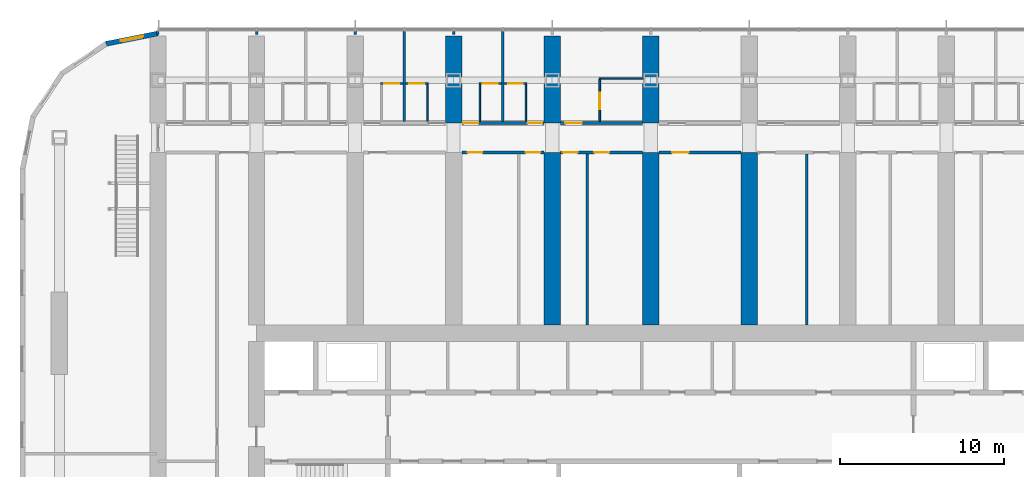
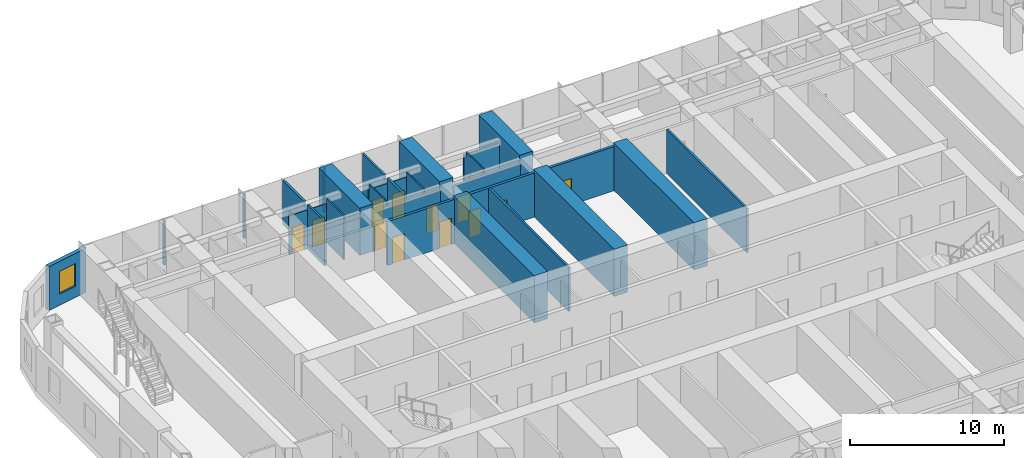
# One storey, part 18 of 28: 29 walls, 13 doors, 1 window, 14 openings.
"""IFC4 building model written with IfcOpenShell, lengths in metres."""

from ifc_helpers import new_model, si_unit, direction, frame, frame_2d, origin, place, context, subcontext, project, spatial, polyline, rectangle, outline, extrude, material, layer, layer_set, type_object, element, fill, save


model = new_model("IFC4")

# Units and contexts
model_context = context("Model", 3, precision=1e-05, world=origin(), true_north=direction((0.0, 1.0)))
body_context = subcontext(model_context, "Body", "Model", "MODEL_VIEW")
ifc_project = project(units=[si_unit("LENGTHUNIT", "METRE"), si_unit("AREAUNIT", "SQUARE_METRE"), si_unit("VOLUMEUNIT", "CUBIC_METRE"), si_unit("PLANEANGLEUNIT", "RADIAN"), si_unit("MASSUNIT", "GRAM", prefix="KILO")], contexts=[model_context])

# Site, building, storey
site_placement = place(None, origin())
site = spatial("IfcSite", under=ifc_project, at=site_placement, CompositionType="ELEMENT")
building_placement = place(site_placement, origin())
building = spatial("IfcBuilding", under=site, at=building_placement, Name="Orbita Commons", CompositionType="ELEMENT")
storey_placement = place(building_placement, frame((0.0, 0.0, 38.949951171875)))
storey = spatial("IfcBuildingStorey", under=building, at=storey_placement, Name="L09", CompositionType="ELEMENT", Elevation=38.949951171875)

# Wall, openings, doors
ifc_material_1 = material(Name="Concrete blockwork", Category="masonry")
ifc_layer_1 = layer(ifc_material_1, 0.199951171875)
ifc_layer_set_1 = layer_set([ifc_layer_1], Name="Concrete blockwork")
wall_type_1 = type_object("IfcWallType", Name="Corridor wall 200 blockwork", PredefinedType="SOLIDWALL", material=ifc_layer_set_1)
wall_1_placement = place(storey_placement, frame((30.5, 51.0, 0.0), z_axis=(0.0, 0.0, 1.0), x_axis=(1.0, 0.0, 0.0)))
wall_1 = element("IfcWall", 1, at=wall_1_placement, inside=storey, type_object=wall_type_1, Name="Corridor wall 200 blockwork L09", PredefinedType="SOLIDWALL", context=body_context, shape_type="SweptSolid", body=[
    extrude(outline(polyline([(0.0, 0.0), (5.0, 0.0), (5.0, 3.10009765625), (0.0, 3.10009765625), (0.0, 0.0)])), frame((0.0, 0.10009765625, 0.0), z_axis=(0.0, -1.0, 0.0), x_axis=(1.0, 0.0, 0.0)), (0.0, 0.0, 1.0), 0.199951171875),
])
opening_1_placement = place(wall_1_placement, frame((0.10009765625, 0.0, 0.0)))
opening_1 = element("IfcOpeningElement", 2, at=opening_1_placement, cuts=wall_1, Name="Opening D11", PredefinedType="OPENING", context=body_context, shape_type="SweptSolid", body=[
    extrude(rectangle(XDim=0.89990234375, YDim=2.10009765625, at=frame_2d((0.449951171875, 1.050048828125))), frame((0.0, 0.10986328125, 0.0), z_axis=(0.0, -1.0, 0.0), x_axis=(1.0, 0.0, 0.0)), (0.0, 0.0, 1.0), 0.219970703125),
])
opening_2_placement = place(wall_1_placement, frame((4.0, 0.0, 0.0)))
opening_2 = element("IfcOpeningElement", 3, at=opening_2_placement, cuts=wall_1, Name="Opening D11", PredefinedType="OPENING", context=body_context, shape_type="SweptSolid", body=[
    extrude(rectangle(XDim=0.89990234375, YDim=2.10009765625, at=frame_2d((0.449951171875, 1.050048828125))), frame((0.0, 0.10986328125, 0.0), z_axis=(0.0, -1.0, 0.0), x_axis=(1.0, 0.0, 0.0)), (0.0, 0.0, 1.0), 0.219970703125),
])
ifc_material_2 = material(Name="Steel-faced fire door leaf", Category="steel")
door_type_1 = type_object("IfcDoorType", Name="Corridor door 20 min 900x2100", OperationType="SINGLE_SWING_LEFT", PredefinedType="DOOR", material=ifc_material_2)
door_1_placement = place(opening_1_placement, origin())
door_1 = element("IfcDoor", 4, at=door_1_placement, inside=storey, type_object=door_type_1, Name="House bedroom L09-N06 door", OperationType="SINGLE_SWING_LEFT", OverallHeight=2.10009765625, OverallWidth=0.89990234375, PredefinedType="DOOR", context=body_context, shape_type="SweptSolid", body=[
    extrude(rectangle(XDim=0.89990234375, YDim=2.10009765625, at=frame_2d((0.449951171875, 1.050048828125))), frame((0.0, 0.02490234375, 0.0), z_axis=(0.0, -1.0, 0.0), x_axis=(1.0, 0.0, 0.0)), (0.0, 0.0, 1.0), 0.050048828125),
])
fill(opening_1, door_1)
door_2_placement = place(opening_2_placement, origin())
door_2 = element("IfcDoor", 5, at=door_2_placement, inside=storey, type_object=door_type_1, Name="House bedroom L09-N07 door", OperationType="SINGLE_SWING_LEFT", OverallHeight=2.10009765625, OverallWidth=0.89990234375, PredefinedType="DOOR", context=body_context, shape_type="SweptSolid", body=[
    extrude(rectangle(XDim=0.89990234375, YDim=2.10009765625, at=frame_2d((0.449951171875, 1.050048828125))), frame((0.0, 0.02490234375, 0.0), z_axis=(0.0, -1.0, 0.0), x_axis=(1.0, 0.0, 0.0)), (0.0, 0.0, 1.0), 0.050048828125),
])
fill(opening_2, door_2)

# Wall, opening, door
wall_2_placement = place(storey_placement, frame((36.5, 51.0, 0.0), z_axis=(0.0, 0.0, 1.0), x_axis=(1.0, 0.0, 0.0)))
wall_2 = element("IfcWall", 6, at=wall_2_placement, inside=storey, type_object=wall_type_1, Name="Corridor wall 200 blockwork L09", PredefinedType="SOLIDWALL", context=body_context, shape_type="SweptSolid", body=[
    extrude(outline(polyline([(0.0, 0.0), (5.0, 0.0), (5.0, 3.10009765625), (0.0, 3.10009765625), (0.0, 0.0)])), frame((0.0, 0.10009765625, 0.0), z_axis=(0.0, -1.0, 0.0), x_axis=(1.0, 0.0, 0.0)), (0.0, 0.0, 1.0), 0.199951171875),
])
opening_3_placement = place(wall_2_placement, frame((0.300048828125, 0.0, 0.0)))
opening_3 = element("IfcOpeningElement", 7, at=opening_3_placement, cuts=wall_2, Name="Opening D06", PredefinedType="OPENING", context=body_context, shape_type="SweptSolid", body=[
    extrude(rectangle(XDim=1.0, YDim=2.10009765625, at=frame_2d((0.5, 1.050048828125))), frame((0.0, 0.10986328125, 0.0), z_axis=(0.0, -1.0, 0.0), x_axis=(1.0, 0.0, 0.0)), (0.0, 0.0, 1.0), 0.219970703125),
])
ifc_material_3 = material(Name="Steel-faced fire door leaf", Category="steel")
door_type_2 = type_object("IfcDoorType", Name="Corridor door 20 min 1000x2100", OperationType="SINGLE_SWING_LEFT", PredefinedType="DOOR", material=ifc_material_3)
door_3_placement = place(opening_3_placement, origin())
door_3 = element("IfcDoor", 8, at=door_3_placement, inside=storey, type_object=door_type_2, Name="Accessible bedroom L09-N08 door", OperationType="SINGLE_SWING_LEFT", OverallHeight=2.10009765625, OverallWidth=1.0, PredefinedType="DOOR", context=body_context, shape_type="SweptSolid", body=[
    extrude(rectangle(XDim=1.0, YDim=2.10009765625, at=frame_2d((0.5, 1.050048828125))), frame((0.0, 0.02490234375, 0.0), z_axis=(0.0, -1.0, 0.0), x_axis=(1.0, 0.0, 0.0)), (0.0, 0.0, 1.0), 0.050048828125),
])
fill(opening_3, door_3)

# Wall, openings, doors
ifc_material_4 = material(Name="Hollow concrete block 200", Category="concrete")
ifc_layer_2 = layer(ifc_material_4, 0.199951171875)
ifc_layer_set_2 = layer_set([ifc_layer_2], Name="Hollow concrete block 200")
wall_type_2 = type_object("IfcWallType", Name="Corridor wall 200 hollow concrete block", PredefinedType="SOLIDWALL", material=ifc_layer_set_2)
wall_3_placement = place(storey_placement, frame((30.5, 49.199951171875, 0.0), z_axis=(0.0, 0.0, 1.0), x_axis=(1.0, 0.0, 0.0)))
wall_3 = element("IfcWall", 9, at=wall_3_placement, inside=storey, type_object=wall_type_2, Name="Corridor wall 200 hollow concrete block L09", PredefinedType="SOLIDWALL", context=body_context, shape_type="SweptSolid", body=[
    extrude(rectangle(XDim=5.0, YDim=0.199951171875, at=frame_2d((2.5, 0.0))), origin(), (0.0, 0.0, 1.0), 3.5),
])
opening_4_placement = place(wall_3_placement, frame((0.35009765625, 0.0, 0.0)))
opening_4 = element("IfcOpeningElement", 10, at=opening_4_placement, cuts=wall_3, Name="Opening D11", PredefinedType="OPENING", context=body_context, shape_type="SweptSolid", body=[
    extrude(rectangle(XDim=0.89990234375, YDim=2.10009765625, at=frame_2d((0.449951171875, 1.050048828125))), frame((0.0, 0.10986328125, 0.0), z_axis=(0.0, -1.0, 0.0), x_axis=(1.0, 0.0, 0.0)), (0.0, 0.0, 1.0), 0.219970703125),
])
opening_5_placement = place(wall_3_placement, frame((3.8798828125, 0.0, 0.0)))
opening_5 = element("IfcOpeningElement", 11, at=opening_5_placement, cuts=wall_3, Name="Opening D11", PredefinedType="OPENING", context=body_context, shape_type="SweptSolid", body=[
    extrude(rectangle(XDim=0.89990234375, YDim=2.10009765625, at=frame_2d((0.449951171875, 1.050048828125))), frame((0.0, 0.10986328125, 0.0), z_axis=(0.0, -1.0, 0.0), x_axis=(1.0, 0.0, 0.0)), (0.0, 0.0, 1.0), 0.219970703125),
])
door_4_placement = place(opening_4_placement, origin())
door_4 = element("IfcDoor", 12, at=door_4_placement, inside=storey, type_object=door_type_1, Name="Bulk and luggage store L09-BDN30 door", OperationType="SINGLE_SWING_LEFT", OverallHeight=2.10009765625, OverallWidth=0.89990234375, PredefinedType="DOOR", context=body_context, shape_type="SweptSolid", body=[
    extrude(rectangle(XDim=0.89990234375, YDim=2.10009765625, at=frame_2d((0.449951171875, 1.050048828125))), frame((0.0, 0.02490234375, 0.0), z_axis=(0.0, -1.0, 0.0), x_axis=(1.0, 0.0, 0.0)), (0.0, 0.0, 1.0), 0.050048828125),
])
fill(opening_4, door_4)
door_5_placement = place(opening_5_placement, origin())
door_5 = element("IfcDoor", 13, at=door_5_placement, inside=storey, type_object=door_type_1, Name="Battery and UPS room L09-BDN30n door", OperationType="SINGLE_SWING_LEFT", OverallHeight=2.10009765625, OverallWidth=0.89990234375, PredefinedType="DOOR", context=body_context, shape_type="SweptSolid", body=[
    extrude(rectangle(XDim=0.89990234375, YDim=2.10009765625, at=frame_2d((0.449951171875, 1.050048828125))), frame((0.0, 0.02490234375, 0.0), z_axis=(0.0, -1.0, 0.0), x_axis=(1.0, 0.0, 0.0)), (0.0, 0.0, 1.0), 0.050048828125),
])
fill(opening_5, door_5)

wall_4_placement = place(storey_placement, frame((36.5, 49.199951171875, 0.0), z_axis=(0.0, 0.0, 1.0), x_axis=(1.0, 0.0, 0.0)))
wall_4 = element("IfcWall", 14, at=wall_4_placement, inside=storey, type_object=wall_type_2, Name="Corridor wall 200 hollow concrete block L09", PredefinedType="SOLIDWALL", context=body_context, shape_type="SweptSolid", body=[
    extrude(rectangle(XDim=5.0, YDim=0.199951171875, at=frame_2d((2.5, 0.0))), origin(), (0.0, 0.0, 1.0), 3.5),
])
opening_6_placement = place(wall_4_placement, frame((0.14990234375, 0.0, 0.0)))
opening_6 = element("IfcOpeningElement", 15, at=opening_6_placement, cuts=wall_4, Name="Opening D11", PredefinedType="OPENING", context=body_context, shape_type="SweptSolid", body=[
    extrude(rectangle(XDim=0.89990234375, YDim=2.10009765625, at=frame_2d((0.449951171875, 1.050048828125))), frame((0.0, 0.10986328125, 0.0), z_axis=(0.0, -1.0, 0.0), x_axis=(1.0, 0.0, 0.0)), (0.0, 0.0, 1.0), 0.219970703125),
])
opening_7_placement = place(wall_4_placement, frame((2.070068359375, 0.0, 0.0)))
opening_7 = element("IfcOpeningElement", 16, at=opening_7_placement, cuts=wall_4, Name="Opening D11", PredefinedType="OPENING", context=body_context, shape_type="SweptSolid", body=[
    extrude(rectangle(XDim=0.89990234375, YDim=2.10009765625, at=frame_2d((0.449951171875, 1.050048828125))), frame((0.0, 0.10986328125, 0.0), z_axis=(0.0, -1.0, 0.0), x_axis=(1.0, 0.0, 0.0)), (0.0, 0.0, 1.0), 0.219970703125),
])
door_6_placement = place(opening_6_placement, origin())
door_6 = element("IfcDoor", 17, at=door_6_placement, inside=storey, type_object=door_type_1, Name="Sprinkler valve room L09-BDN36n door", OperationType="SINGLE_SWING_LEFT", OverallHeight=2.10009765625, OverallWidth=0.89990234375, PredefinedType="DOOR", context=body_context, shape_type="SweptSolid", body=[
    extrude(rectangle(XDim=0.89990234375, YDim=2.10009765625, at=frame_2d((0.449951171875, 1.050048828125))), frame((0.0, 0.02490234375, 0.0), z_axis=(0.0, -1.0, 0.0), x_axis=(1.0, 0.0, 0.0)), (0.0, 0.0, 1.0), 0.050048828125),
])
fill(opening_6, door_6)
door_7_placement = place(opening_7_placement, origin())
door_7 = element("IfcDoor", 18, at=door_7_placement, inside=storey, type_object=door_type_1, Name="Parcel and post room L09-BDN36 door", OperationType="SINGLE_SWING_LEFT", OverallHeight=2.10009765625, OverallWidth=0.89990234375, PredefinedType="DOOR", context=body_context, shape_type="SweptSolid", body=[
    extrude(rectangle(XDim=0.89990234375, YDim=2.10009765625, at=frame_2d((0.449951171875, 1.050048828125))), frame((0.0, 0.02490234375, 0.0), z_axis=(0.0, -1.0, 0.0), x_axis=(1.0, 0.0, 0.0)), (0.0, 0.0, 1.0), 0.050048828125),
])
fill(opening_7, door_7)

# Wall, opening, door
wall_5_placement = place(storey_placement, frame((42.5, 49.199951171875, 0.0), z_axis=(0.0, 0.0, 1.0), x_axis=(1.0, 0.0, 0.0)))
wall_5 = element("IfcWall", 19, at=wall_5_placement, inside=storey, type_object=wall_type_2, Name="Corridor wall 200 hollow concrete block L09", PredefinedType="SOLIDWALL", context=body_context, shape_type="SweptSolid", body=[
    extrude(rectangle(XDim=5.0, YDim=0.199951171875, at=frame_2d((2.5, 0.0))), origin(), (0.0, 0.0, 1.0), 3.5),
])
opening_8_placement = place(wall_5_placement, frame((0.800048828125, 0.0, 0.0)))
opening_8 = element("IfcOpeningElement", 20, at=opening_8_placement, cuts=wall_5, Name="Opening D06", PredefinedType="OPENING", context=body_context, shape_type="SweptSolid", body=[
    extrude(rectangle(XDim=1.0, YDim=2.10009765625, at=frame_2d((0.5, 1.050048828125))), frame((0.0, 0.10986328125, 0.0), z_axis=(0.0, -1.0, 0.0), x_axis=(1.0, 0.0, 0.0)), (0.0, 0.0, 1.0), 0.219970703125),
])
door_8_placement = place(opening_8_placement, origin())
door_8 = element("IfcDoor", 21, at=door_8_placement, inside=storey, type_object=door_type_2, Name="Store L09-BDN42 door", OperationType="SINGLE_SWING_LEFT", OverallHeight=2.10009765625, OverallWidth=1.0, PredefinedType="DOOR", context=body_context, shape_type="SweptSolid", body=[
    extrude(rectangle(XDim=1.0, YDim=2.10009765625, at=frame_2d((0.5, 1.050048828125))), frame((0.0, 0.02490234375, 0.0), z_axis=(0.0, -1.0, 0.0), x_axis=(1.0, 0.0, 0.0)), (0.0, 0.0, 1.0), 0.050048828125),
])
fill(opening_8, door_8)

# Walls
ifc_material_5 = material(Name="Concrete C50/60", Category="concrete")
ifc_layer_3 = layer(ifc_material_5, 1.0)
ifc_layer_set_3 = layer_set([ifc_layer_3], Name="Concrete C50/60")
wall_type_3 = type_object("IfcWallType", Name="Cross wall 1000 C50/60", PredefinedType="SHEAR", material=ifc_layer_set_3)
for number, where, z_axis, x_axis, name in (
    (22, (30.0, 51.0, 0.0), (0.0, 0.0, 1.0), (0.0, 1.0, 0.0), "Cross wall 6 north outer L09"),
    (23, (36.0, 51.0, 0.0), (0.0, 0.0, 1.0), (0.0, 1.0, 0.0), "Cross wall 7 north outer L09"),
):
    element("IfcWall", number, at=place(storey_placement, frame(where, z_axis=z_axis, x_axis=x_axis)), inside=storey, type_object=wall_type_3, Name=name, PredefinedType="SHEAR", context=body_context, shape_type="SweptSolid", body=[
        extrude(rectangle(XDim=5.300048828125, YDim=1.0, at=frame_2d((2.64990234375, 0.0))), origin(), (0.0, 0.0, 1.0), 3.75),
    ])
wall_6_placement = place(storey_placement, frame((36.0, 38.699951171875, 0.0), z_axis=(0.0, 0.0, 1.0), x_axis=(0.0, 1.0, 0.0)))
element("IfcWall", 24, at=wall_6_placement, inside=storey, type_object=wall_type_3, Name="Cross wall 7 north inner L09", PredefinedType="SHEAR", context=body_context, shape_type="SweptSolid", body=[
    extrude(rectangle(XDim=10.5, YDim=1.0, at=frame_2d((5.25, 0.0))), origin(), (0.0, 0.0, 1.0), 3.75),
])
wall_7_placement = place(storey_placement, frame((42.0, 51.0, 0.0), z_axis=(0.0, 0.0, 1.0), x_axis=(0.0, 1.0, 0.0)))
element("IfcWall", 25, at=wall_7_placement, inside=storey, type_object=wall_type_3, Name="Cross wall 8 north outer L09", PredefinedType="SHEAR", context=body_context, shape_type="SweptSolid", body=[
    extrude(rectangle(XDim=5.300048828125, YDim=1.0, at=frame_2d((2.64990234375, 0.0))), origin(), (0.0, 0.0, 1.0), 3.75),
])
for number, where, z_axis, x_axis, name in (
    (26, (42.0, 38.699951171875, 0.0), (0.0, 0.0, 1.0), (0.0, 1.0, 0.0), "Cross wall 8 north inner L09"),
    (27, (48.0, 38.699951171875, 0.0), (0.0, 0.0, 1.0), (0.0, 1.0, 0.0), "Cross wall 9 north inner L09"),
):
    element("IfcWall", number, at=place(storey_placement, frame(where, z_axis=z_axis, x_axis=x_axis)), inside=storey, type_object=wall_type_3, Name=name, PredefinedType="SHEAR", context=body_context, shape_type="SweptSolid", body=[
        extrude(rectangle(XDim=10.5, YDim=1.0, at=frame_2d((5.25, 0.0))), origin(), (0.0, 0.0, 1.0), 3.75),
    ])

# Wall, opening, door
ifc_material_6 = material(Name="Moisture-resistant plasterboard on steel studs", Category="steel")
ifc_layer_4 = layer(ifc_material_6, 0.10009765625)
ifc_layer_set_4 = layer_set([ifc_layer_4], Name="Moisture-resistant plasterboard on steel studs")
wall_type_4 = type_object("IfcWallType", Name="En-suite partition 100", PredefinedType="PARTITIONING", material=ifc_layer_set_4)
wall_8_placement = place(storey_placement, frame((25.550048828125, 53.40185546875, 0.0), z_axis=(0.0, 0.0, 1.0), x_axis=(1.0, 0.0, 0.0)))
wall_8 = element("IfcWall", 28, at=wall_8_placement, inside=storey, type_object=wall_type_4, Name="En-suite partition 100 L09", PredefinedType="PARTITIONING", context=body_context, shape_type="SweptSolid", body=[
    extrude(outline(polyline([(0.0, 0.0), (1.375, 0.0), (1.375, 3.10009765625), (0.0, 3.10009765625), (0.0, 0.0)])), frame((0.0, 0.050048828125, 0.0), z_axis=(0.0, -1.0, 0.0), x_axis=(1.0, 0.0, 0.0)), (0.0, 0.0, 1.0), 0.10009765625),
])
opening_9_placement = place(wall_8_placement, frame((0.237548828125, 0.0, 0.0)))
opening_9 = element("IfcOpeningElement", 29, at=opening_9_placement, cuts=wall_8, Name="Opening D09", PredefinedType="OPENING", context=body_context, shape_type="SweptSolid", body=[
    extrude(rectangle(XDim=0.89990234375, YDim=2.10009765625, at=frame_2d((0.449951171875, 1.050048828125))), frame((0.0, 0.06005859375, 0.0), z_axis=(0.0, -1.0, 0.0), x_axis=(1.0, 0.0, 0.0)), (0.0, 0.0, 1.0), 0.1201171875),
])
ifc_material_7 = material(Name="Laminated timber door leaf", Category="wood")
door_type_3 = type_object("IfcDoorType", Name="En-suite door 900x2100", OperationType="SINGLE_SWING_RIGHT", PredefinedType="DOOR", material=ifc_material_7)
door_9_placement = place(opening_9_placement, origin())
door_9 = element("IfcDoor", 30, at=door_9_placement, inside=storey, type_object=door_type_3, Name="En-suite L09-N04 door", OperationType="SINGLE_SWING_RIGHT", OverallHeight=2.10009765625, OverallWidth=0.89990234375, PredefinedType="DOOR", context=body_context, shape_type="SweptSolid", body=[
    extrude(rectangle(XDim=0.89990234375, YDim=2.10009765625, at=frame_2d((0.449951171875, 1.050048828125))), frame((0.0, 0.02490234375, 0.0), z_axis=(0.0, -1.0, 0.0), x_axis=(1.0, 0.0, 0.0)), (0.0, 0.0, 1.0), 0.050048828125),
])
fill(opening_9, door_9)

wall_9_placement = place(storey_placement, frame((27.074951171875, 53.40185546875, 0.0), z_axis=(0.0, 0.0, 1.0), x_axis=(1.0, 0.0, 0.0)))
wall_9 = element("IfcWall", 31, at=wall_9_placement, inside=storey, type_object=wall_type_4, Name="En-suite partition 100 L09", PredefinedType="PARTITIONING", context=body_context, shape_type="SweptSolid", body=[
    extrude(outline(polyline([(0.0, 0.0), (1.375, 0.0), (1.375, 3.10009765625), (0.0, 3.10009765625), (0.0, 0.0)])), frame((0.0, 0.050048828125, 0.0), z_axis=(0.0, -1.0, 0.0), x_axis=(1.0, 0.0, 0.0)), (0.0, 0.0, 1.0), 0.10009765625),
])
opening_10_placement = place(wall_9_placement, frame((0.237548828125, 0.0, 0.0)))
opening_10 = element("IfcOpeningElement", 32, at=opening_10_placement, cuts=wall_9, Name="Opening D09", PredefinedType="OPENING", context=body_context, shape_type="SweptSolid", body=[
    extrude(rectangle(XDim=0.89990234375, YDim=2.10009765625, at=frame_2d((0.449951171875, 1.050048828125))), frame((0.0, 0.06005859375, 0.0), z_axis=(0.0, -1.0, 0.0), x_axis=(1.0, 0.0, 0.0)), (0.0, 0.0, 1.0), 0.1201171875),
])
door_10_placement = place(opening_10_placement, origin())
door_10 = element("IfcDoor", 33, at=door_10_placement, inside=storey, type_object=door_type_3, Name="En-suite L09-N05 door", OperationType="SINGLE_SWING_RIGHT", OverallHeight=2.10009765625, OverallWidth=0.89990234375, PredefinedType="DOOR", context=body_context, shape_type="SweptSolid", body=[
    extrude(rectangle(XDim=0.89990234375, YDim=2.10009765625, at=frame_2d((0.449951171875, 1.050048828125))), frame((0.0, 0.02490234375, 0.0), z_axis=(0.0, -1.0, 0.0), x_axis=(1.0, 0.0, 0.0)), (0.0, 0.0, 1.0), 0.050048828125),
])
fill(opening_10, door_10)

# Wall
wall_10_placement = place(storey_placement, frame((28.39990234375, 53.351806640625, 0.0), z_axis=(0.0, 0.0, 1.0), x_axis=(0.0, -1.0, 0.0)))
element("IfcWall", 34, at=wall_10_placement, inside=storey, type_object=wall_type_4, Name="En-suite partition 100 L09", PredefinedType="PARTITIONING", context=body_context, shape_type="SweptSolid", body=[
    extrude(outline(polyline([(0.0, 0.0), (2.251708984375, 0.0), (2.251953125, 3.10009765625), (2.203857421875, 3.10009765625), (2.201904296875, 3.5), (0.0, 3.5), (0.0, 0.0)])), frame((0.0, 0.050048828125, 0.0), z_axis=(0.0, -1.0, 0.0), x_axis=(1.0, 0.0, 0.0)), (0.0, 0.0, 1.0), 0.10009765625),
])

# Wall, opening, door
wall_11_placement = place(storey_placement, frame((31.550048828125, 53.40185546875, 0.0), z_axis=(0.0, 0.0, 1.0), x_axis=(1.0, 0.0, 0.0)))
wall_11 = element("IfcWall", 35, at=wall_11_placement, inside=storey, type_object=wall_type_4, Name="En-suite partition 100 L09", PredefinedType="PARTITIONING", context=body_context, shape_type="SweptSolid", body=[
    extrude(outline(polyline([(0.0, 0.0), (1.375, 0.0), (1.375, 3.10009765625), (0.0, 3.10009765625), (0.0, 0.0)])), frame((0.0, 0.050048828125, 0.0), z_axis=(0.0, -1.0, 0.0), x_axis=(1.0, 0.0, 0.0)), (0.0, 0.0, 1.0), 0.10009765625),
])
opening_11_placement = place(wall_11_placement, frame((0.237548828125, 0.0, 0.0)))
opening_11 = element("IfcOpeningElement", 36, at=opening_11_placement, cuts=wall_11, Name="Opening D09", PredefinedType="OPENING", context=body_context, shape_type="SweptSolid", body=[
    extrude(rectangle(XDim=0.89990234375, YDim=2.10009765625, at=frame_2d((0.449951171875, 1.050048828125))), frame((0.0, 0.06005859375, 0.0), z_axis=(0.0, -1.0, 0.0), x_axis=(1.0, 0.0, 0.0)), (0.0, 0.0, 1.0), 0.1201171875),
])
door_11_placement = place(opening_11_placement, origin())
door_11 = element("IfcDoor", 37, at=door_11_placement, inside=storey, type_object=door_type_3, Name="En-suite L09-N06 door", OperationType="SINGLE_SWING_RIGHT", OverallHeight=2.10009765625, OverallWidth=0.89990234375, PredefinedType="DOOR", context=body_context, shape_type="SweptSolid", body=[
    extrude(rectangle(XDim=0.89990234375, YDim=2.10009765625, at=frame_2d((0.449951171875, 1.050048828125))), frame((0.0, 0.02490234375, 0.0), z_axis=(0.0, -1.0, 0.0), x_axis=(1.0, 0.0, 0.0)), (0.0, 0.0, 1.0), 0.050048828125),
])
fill(opening_11, door_11)

# Wall
wall_12_placement = place(storey_placement, frame((31.60009765625, 53.351806640625, 0.0), z_axis=(0.0, 0.0, 1.0), x_axis=(0.0, -1.0, 0.0)))
element("IfcWall", 38, at=wall_12_placement, inside=storey, type_object=wall_type_4, Name="En-suite partition 100 L09", PredefinedType="PARTITIONING", context=body_context, shape_type="SweptSolid", body=[
    extrude(outline(polyline([(0.0, 0.0), (2.251708984375, 0.0), (2.251953125, 3.10009765625), (2.203857421875, 3.10009765625), (2.201904296875, 3.5), (0.0, 3.5), (0.0, 0.0)])), frame((0.0, 0.050048828125, 0.0), z_axis=(0.0, -1.0, 0.0), x_axis=(1.0, 0.0, 0.0)), (0.0, 0.0, 1.0), 0.10009765625),
])

# Wall, opening, door
wall_13_placement = place(storey_placement, frame((33.074951171875, 53.40185546875, 0.0), z_axis=(0.0, 0.0, 1.0), x_axis=(1.0, 0.0, 0.0)))
wall_13 = element("IfcWall", 39, at=wall_13_placement, inside=storey, type_object=wall_type_4, Name="En-suite partition 100 L09", PredefinedType="PARTITIONING", context=body_context, shape_type="SweptSolid", body=[
    extrude(outline(polyline([(0.0, 0.0), (1.375, 0.0), (1.375, 3.10009765625), (0.0, 3.10009765625), (0.0, 0.0)])), frame((0.0, 0.050048828125, 0.0), z_axis=(0.0, -1.0, 0.0), x_axis=(1.0, 0.0, 0.0)), (0.0, 0.0, 1.0), 0.10009765625),
])
opening_12_placement = place(wall_13_placement, frame((0.237548828125, 0.0, 0.0)))
opening_12 = element("IfcOpeningElement", 40, at=opening_12_placement, cuts=wall_13, Name="Opening D09", PredefinedType="OPENING", context=body_context, shape_type="SweptSolid", body=[
    extrude(rectangle(XDim=0.89990234375, YDim=2.10009765625, at=frame_2d((0.449951171875, 1.050048828125))), frame((0.0, 0.06005859375, 0.0), z_axis=(0.0, -1.0, 0.0), x_axis=(1.0, 0.0, 0.0)), (0.0, 0.0, 1.0), 0.1201171875),
])
door_12_placement = place(opening_12_placement, origin())
door_12 = element("IfcDoor", 41, at=door_12_placement, inside=storey, type_object=door_type_3, Name="En-suite L09-N07 door", OperationType="SINGLE_SWING_RIGHT", OverallHeight=2.10009765625, OverallWidth=0.89990234375, PredefinedType="DOOR", context=body_context, shape_type="SweptSolid", body=[
    extrude(rectangle(XDim=0.89990234375, YDim=2.10009765625, at=frame_2d((0.449951171875, 1.050048828125))), frame((0.0, 0.02490234375, 0.0), z_axis=(0.0, -1.0, 0.0), x_axis=(1.0, 0.0, 0.0)), (0.0, 0.0, 1.0), 0.050048828125),
])
fill(opening_12, door_12)

# Walls
wall_14_placement = place(storey_placement, frame((34.39990234375, 53.351806640625, 0.0), z_axis=(0.0, 0.0, 1.0), x_axis=(0.0, -1.0, 0.0)))
element("IfcWall", 42, at=wall_14_placement, inside=storey, type_object=wall_type_4, Name="En-suite partition 100 L09", PredefinedType="PARTITIONING", context=body_context, shape_type="SweptSolid", body=[
    extrude(outline(polyline([(0.0, 0.0), (2.251708984375, 0.0), (2.251953125, 3.10009765625), (2.203857421875, 3.10009765625), (2.201904296875, 3.5), (0.0, 3.5), (0.0, 0.0)])), frame((0.0, 0.050048828125, 0.0), z_axis=(0.0, -1.0, 0.0), x_axis=(1.0, 0.0, 0.0)), (0.0, 0.0, 1.0), 0.10009765625),
])
wall_15_placement = place(storey_placement, frame((38.85009765625, 53.699951171875, 0.0), z_axis=(0.0, 0.0, 1.0), x_axis=(1.0, 0.0, 0.0)))
element("IfcWall", 43, at=wall_15_placement, inside=storey, type_object=wall_type_4, Name="En-suite partition 100 L09", PredefinedType="PARTITIONING", context=body_context, shape_type="SweptSolid", body=[
    extrude(outline(polyline([(0.0, 0.0), (2.699951171875, 0.0), (2.699951171875, 3.10009765625), (0.0, 3.10009765625), (0.0, 0.0)])), frame((0.0, 0.050048828125, 0.0), z_axis=(0.0, -1.0, 0.0), x_axis=(1.0, 0.0, 0.0)), (0.0, 0.0, 1.0), 0.10009765625),
])

# Wall, opening, door
wall_16_placement = place(storey_placement, frame((38.89990234375, 53.64990234375, 0.0), z_axis=(0.0, 0.0, 1.0), x_axis=(0.0, -1.0, 0.0)))
wall_16 = element("IfcWall", 44, at=wall_16_placement, inside=storey, type_object=wall_type_4, Name="En-suite partition 100 L09", PredefinedType="PARTITIONING", context=body_context, shape_type="SweptSolid", body=[
    extrude(outline(polyline([(0.0, 0.0), (2.5498046875, 0.0), (2.550048828125, 3.10009765625), (2.501953125, 3.10009765625), (2.5, 3.5), (0.251953125, 3.5), (0.25, 3.10009765625), (0.0, 3.10009765625), (0.0, 0.0)])), frame((0.0, 0.050048828125, 0.0), z_axis=(0.0, -1.0, 0.0), x_axis=(1.0, 0.0, 0.0)), (0.0, 0.0, 1.0), 0.10009765625),
])
opening_13_placement = place(wall_16_placement, frame((0.800048828125, 0.0, 0.0)))
opening_13 = element("IfcOpeningElement", 45, at=opening_13_placement, cuts=wall_16, Name="Opening D13", PredefinedType="OPENING", context=body_context, shape_type="SweptSolid", body=[
    extrude(rectangle(XDim=1.0, YDim=2.10009765625, at=frame_2d((0.5, 1.050048828125))), frame((0.0, 0.06005859375, 0.0), z_axis=(0.0, -1.0, 0.0), x_axis=(1.0, 0.0, 0.0)), (0.0, 0.0, 1.0), 0.1201171875),
])
ifc_material_8 = material(Name="Laminated timber door leaf", Category="wood")
door_type_4 = type_object("IfcDoorType", Name="En-suite door 1000x2100", OperationType="SINGLE_SWING_RIGHT", PredefinedType="DOOR", material=ifc_material_8)
door_13_placement = place(opening_13_placement, origin())
door_13 = element("IfcDoor", 46, at=door_13_placement, inside=storey, type_object=door_type_4, Name="Accessible shower room L09-N08 door", OperationType="SINGLE_SWING_RIGHT", OverallHeight=2.10009765625, OverallWidth=1.0, PredefinedType="DOOR", context=body_context, shape_type="SweptSolid", body=[
    extrude(rectangle(XDim=1.0, YDim=2.10009765625, at=frame_2d((0.5, 1.050048828125))), frame((0.0, 0.02490234375, 0.0), z_axis=(0.0, -1.0, 0.0), x_axis=(1.0, 0.0, 0.0)), (0.0, 0.0, 1.0), 0.050048828125),
])
fill(opening_13, door_13)

# Walls
ifc_material_9 = material(Name="Gypsum plasterboard on steel studs", Category="steel")
ifc_layer_5 = layer(ifc_material_9, 0.14990234375)
ifc_layer_set_5 = layer_set([ifc_layer_5], Name="Gypsum plasterboard on steel studs")
wall_type_5 = type_object("IfcWallType", Name="Partition 150 plasterboard", PredefinedType="PARTITIONING", material=ifc_layer_set_5)
for number, where, z_axis, x_axis, name in (
    (47, (38.14501953125, 38.699951171875, 0.0), (0.0, 0.0, 1.0), (0.0, 1.0, 0.0), "Partition 150 plasterboard L09"),
    (48, (51.5, 38.699951171875, 0.0), (0.0, 0.0, 1.0), (0.0, 1.0, 0.0), "Partition 150 plasterboard L09"),
):
    element("IfcWall", number, at=place(storey_placement, frame(where, z_axis=z_axis, x_axis=x_axis)), inside=storey, type_object=wall_type_5, Name=name, PredefinedType="PARTITIONING", context=body_context, shape_type="SweptSolid", body=[
        extrude(rectangle(XDim=10.400146484375, YDim=0.14990234375, at=frame_2d((5.2001953125, 0.0))), origin(), (0.0, 0.0, 1.0), 3.5),
    ])
wall_17_placement = place(storey_placement, frame((12.0, 56.39990234375, 0.0), z_axis=(0.0, 0.0, 1.0), x_axis=(0.0, 1.0, 0.0)))
element("IfcWall", 49, at=wall_17_placement, inside=storey, type_object=wall_type_5, Name="Partition 150 plasterboard L09", PredefinedType="PARTITIONING", context=body_context, shape_type="SweptSolid", body=[
    extrude(rectangle(XDim=0.22021484375, YDim=0.14990234375, at=frame_2d((0.110107421875, 0.0))), origin(), (0.0, 0.0, 1.0), 3.5),
])
for number, where, z_axis, x_axis, name in (
    (50, (18.0, 56.39990234375, 0.0), (0.0, 0.0, 1.0), (0.0, 1.0, 0.0), "Partition 150 plasterboard L09"),
    (51, (24.0, 56.39990234375, 0.0), (0.0, 0.0, 1.0), (0.0, 1.0, 0.0), "Partition 150 plasterboard L09"),
    (52, (30.0, 56.39990234375, 0.0), (0.0, 0.0, 1.0), (0.0, 1.0, 0.0), "Partition 150 plasterboard L09"),
):
    element("IfcWall", number, at=place(storey_placement, frame(where, z_axis=z_axis, x_axis=x_axis)), inside=storey, type_object=wall_type_5, Name=name, PredefinedType="PARTITIONING", context=body_context, shape_type="SweptSolid", body=[
        extrude(rectangle(XDim=0.190185546875, YDim=0.14990234375, at=frame_2d((0.09521484375, 0.0))), origin(), (0.0, 0.0, 1.0), 3.5),
    ])
ifc_material_10 = material(Name="Gypsum plasterboard on steel studs", Category="steel")
ifc_layer_6 = layer(ifc_material_10, 0.14990234375)
ifc_layer_set_6 = layer_set([ifc_layer_6], Name="Gypsum plasterboard on steel studs")
wall_type_6 = type_object("IfcWallType", Name="Party wall 150 plasterboard", PredefinedType="PARTITIONING", material=ifc_layer_set_6)
for number, where, z_axis, x_axis, name in (
    (53, (27.0, 56.590087890625, 0.0), (0.0, 0.0, 1.0), (0.0, -1.0, 0.0), "Party wall 150 plasterboard L09"),
    (54, (33.0, 56.590087890625, 0.0), (0.0, 0.0, 1.0), (0.0, -1.0, 0.0), "Party wall 150 plasterboard L09"),
):
    element("IfcWall", number, at=place(storey_placement, frame(where, z_axis=z_axis, x_axis=x_axis)), inside=storey, type_object=wall_type_6, Name=name, PredefinedType="PARTITIONING", context=body_context, shape_type="SweptSolid", body=[
        extrude(outline(polyline([(0.0, 0.0), (5.489990234375, 0.0), (5.489990234375, 3.10009765625), (5.44189453125, 3.10009765625), (5.43994140625, 3.5), (3.19189453125, 3.5), (3.18994140625, 3.10009765625), (2.7919921875, 3.10009765625), (2.7900390625, 3.5), (0.0, 3.5), (0.0, 0.0)])), frame((0.0, 0.074951171875, 0.0), z_axis=(0.0, -1.0, 0.0), x_axis=(1.0, 0.0, 0.0)), (0.0, 0.0, 1.0), 0.14990234375),
    ])

# Wall, opening, window
ifc_material_11 = material(Name="Precast concrete C40/50, white board-marked finish", Category="concrete")
ifc_layer_7 = layer(ifc_material_11, 0.300048828125)
ifc_layer_set_7 = layer_set([ifc_layer_7], Name="Precast concrete C40/50, white board-marked finish")
wall_type_7 = type_object("IfcWallType", Name="Precast concrete end shield 300", PredefinedType="SOLIDWALL", material=ifc_layer_set_7)
wall_18_placement = place(storey_placement, frame((12.0, 56.449951171875, 0.0), z_axis=(0.0, 0.0, 1.0), x_axis=(-0.980787251524, -0.195080412259, 0.0)))
wall_18 = element("IfcWall", 55, at=wall_18_placement, inside=storey, type_object=wall_type_7, Name="End shield NW chord 1 L09", PredefinedType="SOLIDWALL", context=body_context, shape_type="SweptSolid", body=[
    extrude(outline(polyline([(-0.02978515625, -0.14990234375), (3.24853515625, -0.14990234375), (3.18896484375, 0.14990234375), (0.02978515625, 0.14990234375), (-0.02978515625, -0.14990234375)])), origin(), (0.0, 0.0, 1.0), 3.5),
])
opening_14_placement = place(wall_18_placement, frame((0.909423828125, 0.0, 0.89990234375)))
opening_14 = element("IfcOpeningElement", 56, at=opening_14_placement, cuts=wall_18, Name="Opening W02", PredefinedType="OPENING", context=body_context, shape_type="SweptSolid", body=[
    extrude(rectangle(XDim=1.39990234375, YDim=1.800048828125, at=frame_2d((0.699951171875, 0.89990234375))), frame((0.0, 0.159912109375, 0.0), z_axis=(0.0, -1.0, 0.0), x_axis=(1.0, 0.0, 0.0)), (0.0, 0.0, 1.0), 0.320068359375),
])
ifc_material_12 = material(Name="Aluminium frame, clear double glazing", Category="aluminium")
window_type = type_object("IfcWindowType", Name="Deep-set window 1400x1800", PartitioningType="SINGLE_PANEL", PredefinedType="WINDOW", material=ifc_material_12)
window_placement = place(opening_14_placement, origin())
window = element("IfcWindow", 57, at=window_placement, inside=storey, type_object=window_type, Name="Window L09-NW0", OverallHeight=1.800048828125, OverallWidth=1.39990234375, PartitioningType="SINGLE_PANEL", PredefinedType="WINDOW", context=body_context, shape_type="SweptSolid", body=[
    extrude(rectangle(XDim=1.39990234375, YDim=1.800048828125, at=frame_2d((0.699951171875, 0.89990234375))), frame((0.0, 0.030029296875, 0.0), z_axis=(0.0, -1.0, 0.0), x_axis=(1.0, 0.0, 0.0)), (0.0, 0.0, 1.0), 0.06005859375),
])
fill(opening_14, window)

save(model, "model.ifc")
